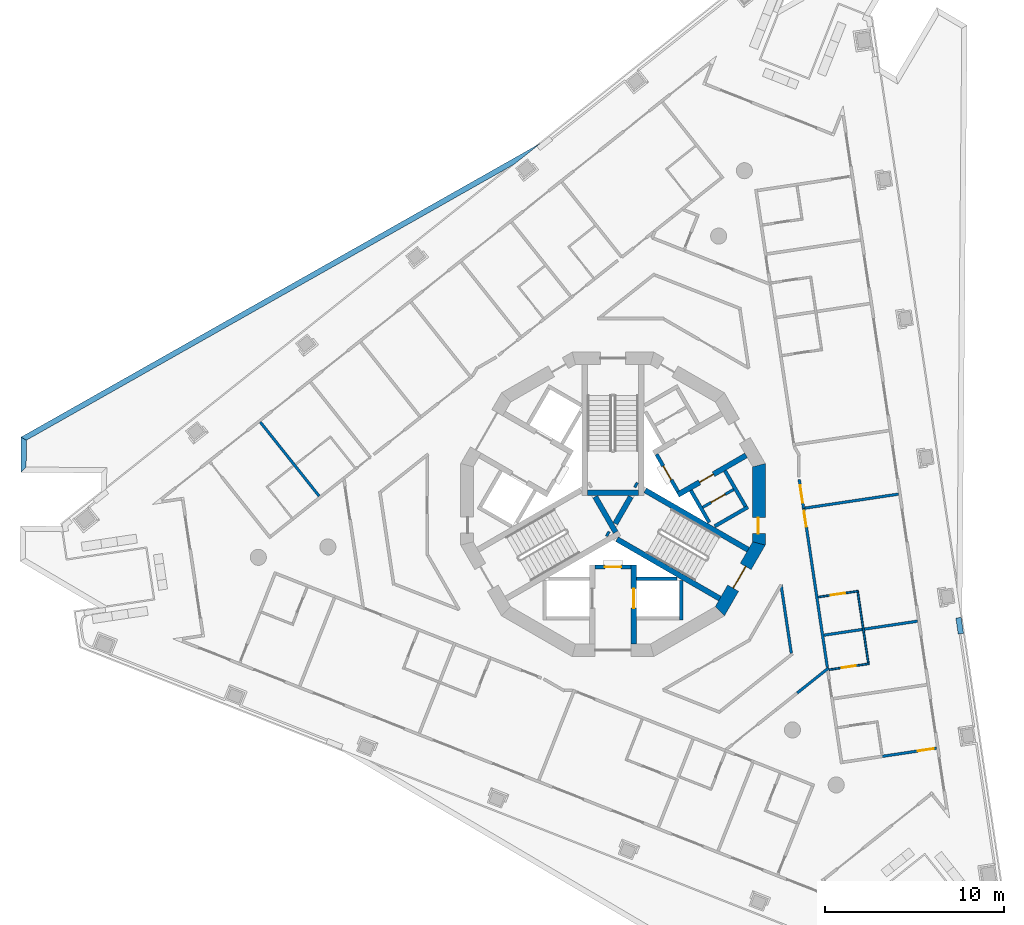
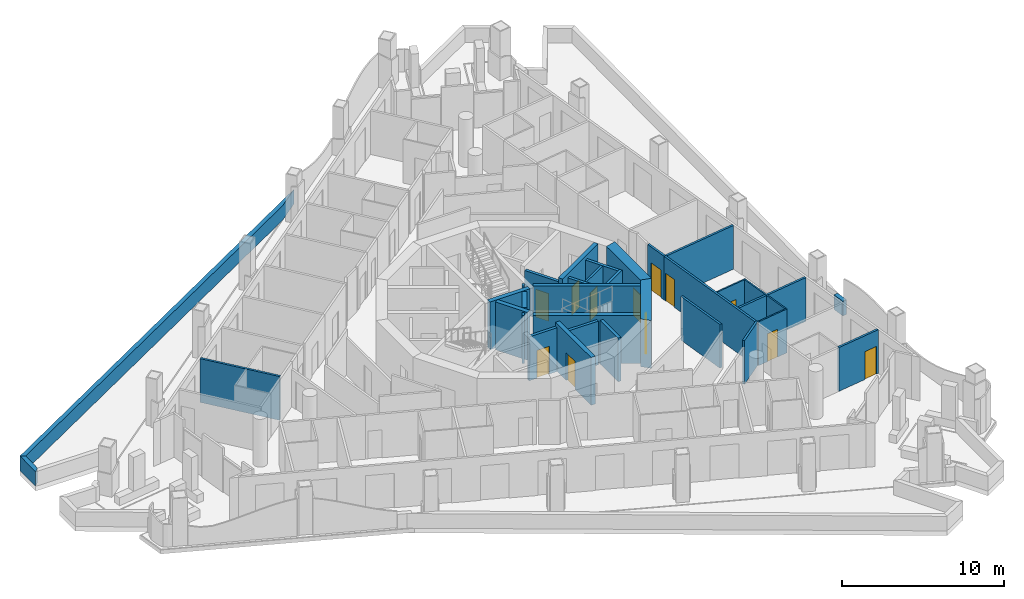
# One storey, part 5 of 16: 33 walls, 12 doors, 12 openings.
"""IFC4 building model written with IfcOpenShell, lengths in metres."""

import ifcopenshell
import ifcopenshell.guid

model = None  # the IFC model being written
_history = None  # IfcOwnerHistory: only IFC2X3 demands one
_inside = {}  # id of a spatial element -> (the spatial element, [elements in it])
_under = {}  # id of a project, library or spatial element -> (it, [spatial elements below it])
_declared = {}  # id of a project -> (the project, [libraries it declares])
_typed = {}  # id of a type object -> (the type object, [elements of that type])
_made_of = {}  # id of a material, layer set ... -> (it, [elements and type objects made of it])


def new_model(schema):
    """Start an empty IFC model of exactly this schema.

    Asked for "IFC4X3", IfcOpenShell would pick the latest addendum, in which some entities
    have other attributes; the version numbers below select the first issue.
    IFC2X3 requires an IfcOwnerHistory on every rooted entity: one is made here for all.
    """
    global model, _history
    if schema == "IFC4X3":
        model = ifcopenshell.file(schema_version=(4, 3, 0, 0))
    else:
        model = ifcopenshell.file(schema=schema)
    _inside.clear()
    _under.clear()
    _declared.clear()
    _typed.clear()
    _made_of.clear()
    _history = None
    if model.schema == "IFC2X3":
        org = make("IfcOrganization", Name="unknown")
        user = make(
            "IfcPersonAndOrganization",
            ThePerson=make("IfcPerson", FamilyName="unknown"),
            TheOrganization=org,
        )
        app = make(
            "IfcApplication",
            ApplicationDeveloper=org,
            Version="unknown",
            ApplicationFullName="unknown",
            ApplicationIdentifier="unknown",
        )
        _history = make(
            "IfcOwnerHistory",
            OwningUser=user,
            OwningApplication=app,
            ChangeAction="ADDED",
            CreationDate=0,
        )
    return model


def make(cls, **values):
    """One entity of the class cls with the attributes given. An attribute that is None is left unset."""
    return model.create_entity(
        cls, **{name: value for name, value in values.items() if value is not None}
    )


def rooted(cls, **values):
    """An entity with a GlobalId (a new one), such as an element, a storey or a relation."""
    return make(cls, GlobalId=ifcopenshell.guid.new(), OwnerHistory=_history, **values)


def si_unit(unit_type, name, prefix=None):
    """IfcSIUnit, for example si_unit("LENGTHUNIT", "METRE", prefix="MILLI")."""
    return make("IfcSIUnit", UnitType=unit_type, Prefix=prefix, Name=name)


def assignment(units):
    """IfcUnitAssignment: the units of a project."""
    return None if units is None else make("IfcUnitAssignment", Units=units)


def point(xyz):
    """IfcCartesianPoint."""
    return None if xyz is None else make("IfcCartesianPoint", Coordinates=xyz)


def direction(xyz):
    """IfcDirection."""
    return None if xyz is None else make("IfcDirection", DirectionRatios=xyz)


def frame(location, z_axis=None, x_axis=None):
    """IfcAxis2Placement3D, a coordinate frame: its origin and axes. An axis left out is left unset."""
    return make(
        "IfcAxis2Placement3D",
        Location=point(location),
        Axis=direction(z_axis),
        RefDirection=direction(x_axis),
    )


def frame_2d(location, x_axis=None):
    """IfcAxis2Placement2D, a coordinate frame in the plane: its origin and x axis."""
    return make(
        "IfcAxis2Placement2D", Location=point(location), RefDirection=direction(x_axis)
    )


def origin():
    """The frame at (0, 0, 0) with its axes left unset."""
    return frame((0.0, 0.0, 0.0))


def place(relative_to, where):
    """IfcLocalPlacement: puts the frame where relative to a parent placement (None: the world)."""
    return make(
        "IfcLocalPlacement", PlacementRelTo=relative_to, RelativePlacement=where
    )


def context(
    kind, dimensions, precision=None, world=None, true_north=None, identifier=None
):
    """IfcGeometricRepresentationContext, for example the 3D "Model" context."""
    return make(
        "IfcGeometricRepresentationContext",
        ContextIdentifier=identifier,
        ContextType=kind,
        CoordinateSpaceDimension=dimensions,
        Precision=precision,
        WorldCoordinateSystem=world,
        TrueNorth=true_north,
    )


def subcontext(parent, identifier, kind, view, scale=None):
    """IfcGeometricRepresentationSubContext, for example "Body" below "Model"."""
    return make(
        "IfcGeometricRepresentationSubContext",
        ContextIdentifier=identifier,
        ContextType=kind,
        ParentContext=parent,
        TargetScale=scale,
        TargetView=view,
    )


def project(units=None, contexts=None):
    """IfcProject with its units and contexts."""
    return rooted(
        "IfcProject",
        Name="project",
        RepresentationContexts=contexts,
        UnitsInContext=assignment(units),
    )


def spatial(cls, under=None, at=None, **own):
    """A site, building, storey or space (cls), placed at a placement, below another one or the project."""
    s = rooted(cls, ObjectPlacement=at, **own)
    if under is not None:
        _under.setdefault(under.id(), (under, []))[1].append(s)
    return s


def polyline(points):
    """IfcPolyline through the points."""
    return make("IfcPolyline", Points=[point(p) for p in points])


def profile(cls, at=None, kind="AREA", **sizes):
    """A parametric profile (cls). Its sizes go by their IFC names, for example OverallWidth=200.0."""
    return make(cls, ProfileType=kind, Position=at, **sizes)


def rectangle(**sizes):
    """IfcRectangleProfileDef."""
    return profile("IfcRectangleProfileDef", **sizes)


def outline(outer, holes=None, kind="AREA"):
    """IfcArbitraryClosedProfileDef: a profile drawn as a closed curve; with holes, ...WithVoids."""
    if holes is None:
        return make("IfcArbitraryClosedProfileDef", ProfileType=kind, OuterCurve=outer)
    return make(
        "IfcArbitraryProfileDefWithVoids",
        ProfileType=kind,
        OuterCurve=outer,
        InnerCurves=holes,
    )


def extrude(swept, where, along, depth):
    """IfcExtrudedAreaSolid: the profile swept, set in the frame where, extruded along a direction by depth."""
    return make(
        "IfcExtrudedAreaSolid",
        SweptArea=swept,
        Position=where,
        ExtrudedDirection=direction(along),
        Depth=depth,
    )


def shape(context_of_items, identifier, shape_type, items):
    """IfcShapeRepresentation: the items that make up one representation, for example the "Body"."""
    return make(
        "IfcShapeRepresentation",
        ContextOfItems=context_of_items,
        RepresentationIdentifier=identifier,
        RepresentationType=shape_type,
        Items=items,
    )


def material(Name=None, Category=None):
    """IfcMaterial."""
    return make("IfcMaterial", Name=Name, Category=Category)


def layer(
    of_material, thickness, ventilated=None, Name=None, Category=None, Priority=None
):
    """IfcMaterialLayer: one layer of a wall or slab, of a material (None: an air gap)."""
    return make(
        "IfcMaterialLayer",
        Material=of_material,
        LayerThickness=thickness,
        IsVentilated=ventilated,
        Name=Name,
        Category=Category,
        Priority=Priority,
    )


def layer_set(layers, Name=None):
    """IfcMaterialLayerSet."""
    return make("IfcMaterialLayerSet", MaterialLayers=layers, LayerSetName=Name)


def made_of(thing, what):
    """Note that an element or type object is made of a material, layer set ...; save() writes the relation."""
    if what is not None:
        _made_of.setdefault(what.id(), (what, []))[1].append(thing)
    return thing


def type_object(cls, material=None, **own):
    """A type object (cls), such as IfcWallType, which elements share."""
    return made_of(rooted(cls, **own), material)


def element(
    cls,
    number,
    at=None,
    inside=None,
    cuts=None,
    type_object=None,
    material=None,
    context=None,
    identifier="Body",
    shape_type=None,
    held_by="IfcProductDefinitionShape",
    body=None,
    shapes=None,
    **own,
):
    """One element of the class cls, such as IfcWall. Its Tag is "e" and its number.

    at: its placement. inside: the storey or other place that contains it. cuts: it is an
    opening in that element (IfcRelVoidsElement). A single representation is given by context,
    identifier, shape_type and body (its items); several are given by shapes. held_by: the class
    of the entity that holds the representations. save() writes the other relations.
    """
    e = rooted(cls, Tag="e%d" % number, ObjectPlacement=at, **own)
    if body is not None:
        shapes = [shape(context, identifier, shape_type, body)]
    if shapes is not None:
        e.Representation = make(held_by, Representations=shapes)
    if inside is not None:
        _inside.setdefault(inside.id(), (inside, []))[1].append(e)
    if cuts is not None:
        rooted(
            "IfcRelVoidsElement", RelatingBuildingElement=cuts, RelatedOpeningElement=e
        )
    if type_object is not None:
        _typed.setdefault(type_object.id(), (type_object, []))[1].append(e)
    return made_of(e, material)


def fill(opening, filler):
    """IfcRelFillsElement: the door or window that sits in an opening."""
    return rooted(
        "IfcRelFillsElement",
        RelatingOpeningElement=opening,
        RelatedBuildingElement=filler,
    )


def aggregate(whole, parts):
    """IfcRelAggregates: a whole, such as a stair, and the parts it consists of."""
    return rooted("IfcRelAggregates", RelatingObject=whole, RelatedObjects=parts)


def save(model, path):
    """Write the relations noted so far, then the file.

    IfcRelAggregates (storeys below a building ...), IfcRelContainedInSpatialStructure (elements
    in a storey), IfcRelDefinesByType, IfcRelAssociatesMaterial and IfcRelDeclares: one each for
    every whole, place, type object, material and project.
    """
    for whole, parts in _under.values():
        aggregate(whole, parts)
    for where, things in _inside.values():
        rooted(
            "IfcRelContainedInSpatialStructure",
            RelatedElements=things,
            RelatingStructure=where,
        )
    for kind, things in _typed.values():
        rooted("IfcRelDefinesByType", RelatedObjects=things, RelatingType=kind)
    for what, things in _made_of.values():
        rooted("IfcRelAssociatesMaterial", RelatedObjects=things, RelatingMaterial=what)
    for by, libraries in _declared.values():
        rooted("IfcRelDeclares", RelatingContext=by, RelatedDefinitions=libraries)
    model.write(path)


model = new_model("IFC4")

# Units and contexts
model_context = context("Model", 3, precision=1e-05, world=origin(), true_north=direction((0.0, 1.0)))
body_context = subcontext(model_context, "Body", "Model", "MODEL_VIEW")
ifc_project = project(units=[si_unit("LENGTHUNIT", "METRE"), si_unit("AREAUNIT", "SQUARE_METRE"), si_unit("VOLUMEUNIT", "CUBIC_METRE"), si_unit("PLANEANGLEUNIT", "RADIAN"), si_unit("MASSUNIT", "GRAM", prefix="KILO")], contexts=[model_context])

# Site, building, storey
site_placement = place(None, origin())
site = spatial("IfcSite", under=ifc_project, at=site_placement, CompositionType="ELEMENT")
building_placement = place(site_placement, origin())
building = spatial("IfcBuilding", under=site, at=building_placement, Name="Trine Commons Tower", CompositionType="ELEMENT")
storey_placement = place(building_placement, frame((0.0, 0.0, 198.0)))
storey = spatial("IfcBuildingStorey", under=building, at=storey_placement, Name="L51", CompositionType="ELEMENT", Elevation=198.0)

# Wall, opening, door
ifc_material_1 = material(Name="Plasterboard partition on steel studs", Category="steel")
ifc_layer_1 = layer(ifc_material_1, 0.14990234375)
ifc_layer_set_1 = layer_set([ifc_layer_1], Name="Plasterboard partition on steel studs")
wall_type_1 = type_object("IfcWallType", Name="Core room partition 150 mm, EI 60", PredefinedType="PARTITIONING", material=ifc_layer_set_1)
wall_1_placement = place(storey_placement, frame((85.006103515625, 62.330078125, 0.0), z_axis=(0.0, 0.0, 1.0), x_axis=(0.866010750942, 0.50002537861, 0.0)))
wall_1 = element("IfcWall", 1, at=wall_1_placement, inside=storey, type_object=wall_type_1, Name="Core room partition L51", PredefinedType="PARTITIONING", context=body_context, shape_type="SweptSolid", body=[
    extrude(rectangle(XDim=2.0, YDim=0.14990234375, at=frame_2d((1.0, 0.0))), origin(), (0.0, 0.0, 1.0), 3.300048828125),
])
opening_1_placement = place(wall_1_placement, frame((0.549560546875, 0.0, 0.0)))
opening_1 = element("IfcOpeningElement", 2, at=opening_1_placement, cuts=wall_1, Name="Opening K15.13", PredefinedType="OPENING", context=body_context, shape_type="SweptSolid", body=[
    extrude(rectangle(XDim=0.89990234375, YDim=2.10009765625, at=frame_2d((0.449951171875, 1.050048828125))), frame((0.0, 0.0849609375, 0.0), z_axis=(0.0, -1.0, 0.0), x_axis=(1.0, 0.0, 0.0)), (0.0, 0.0, 1.0), 0.169921875),
])
ifc_material_2 = material(Name="Steel door leaf, fire-rated", Category="steel")
door_type_1 = type_object("IfcDoorType", Name="Core room door, single leaf 900 x 2100, FD30S", OperationType="SINGLE_SWING_LEFT", PredefinedType="DOOR", material=ifc_material_2)
door_1_placement = place(opening_1_placement, frame((0.89990234375, 0.0, 0.0), z_axis=(0.0, 0.0, 1.0), x_axis=(-1.0, 0.0, 0.0)))
door_1 = element("IfcDoor", 3, at=door_1_placement, inside=storey, type_object=door_type_1, Name="Door to Parcel store L51", OperationType="SINGLE_SWING_LEFT", OverallHeight=2.10009765625, OverallWidth=0.89990234375, PredefinedType="DOOR", context=body_context, shape_type="SweptSolid", body=[
    extrude(rectangle(XDim=0.89990234375, YDim=2.10009765625, at=frame_2d((0.449951171875, 1.050048828125))), frame((0.0, 0.02490234375, 0.0), z_axis=(0.0, -1.0, 0.0), x_axis=(1.0, 0.0, 0.0)), (0.0, 0.0, 1.0), 0.050048828125),
])
fill(opening_1, door_1)

ifc_material_3 = material(Name="Fire-rated gypsum shaft wall system")
ifc_layer_2 = layer(ifc_material_3, 0.199951171875)
ifc_layer_set_2 = layer_set([ifc_layer_2], Name="Fire-rated gypsum shaft wall system")
wall_type_2 = type_object("IfcWallType", Name="Lobby end wall 200 mm, EI 120", PredefinedType="PARTITIONING", material=ifc_layer_set_2)
wall_2_placement = place(storey_placement, frame((79.0, 59.0, 0.0), z_axis=(0.0, 0.0, 1.0), x_axis=(1.0, 0.0, 0.0)))
wall_2 = element("IfcWall", 4, at=wall_2_placement, inside=storey, type_object=wall_type_2, Name="Lobby end wall L51", PredefinedType="PARTITIONING", context=body_context, shape_type="SweptSolid", body=[
    extrude(rectangle(XDim=2.0, YDim=0.199951171875, at=frame_2d((1.0, 0.0))), origin(), (0.0, 0.0, 1.0), 3.300048828125),
])
opening_2_placement = place(wall_2_placement, frame((0.550048828125, 0.0, 0.0)))
opening_2 = element("IfcOpeningElement", 5, at=opening_2_placement, cuts=wall_2, Name="Opening K15.09", PredefinedType="OPENING", context=body_context, shape_type="SweptSolid", body=[
    extrude(rectangle(XDim=0.89990234375, YDim=2.10009765625, at=frame_2d((0.449951171875, 1.050048828125))), frame((0.0, 0.10986328125, 0.0), z_axis=(0.0, -1.0, 0.0), x_axis=(1.0, 0.0, 0.0)), (0.0, 0.0, 1.0), 0.219970703125),
])
door_type_2 = type_object("IfcDoorType", Name="Riser access door, single leaf 900 x 2100, FD60", OperationType="SINGLE_SWING_LEFT", PredefinedType="DOOR", material=ifc_material_2)
door_2_placement = place(opening_2_placement, frame((0.89990234375, 0.0, 0.0), z_axis=(0.0, 0.0, 1.0), x_axis=(-1.0, 0.0, 0.0)))
door_2 = element("IfcDoor", 6, at=door_2_placement, inside=storey, type_object=door_type_2, Name="Riser door, Communications riser L51", OperationType="SINGLE_SWING_RIGHT", OverallHeight=2.10009765625, OverallWidth=0.89990234375, PredefinedType="DOOR", context=body_context, shape_type="SweptSolid", body=[
    extrude(rectangle(XDim=0.89990234375, YDim=2.10009765625, at=frame_2d((0.449951171875, 1.050048828125))), frame((0.0, 0.02490234375, 0.0), z_axis=(0.0, -1.0, 0.0), x_axis=(1.0, 0.0, 0.0)), (0.0, 0.0, 1.0), 0.050048828125),
])
fill(opening_2, door_2)

wall_3_placement = place(storey_placement, frame((83.631103515625, 63.2109375, 0.0), z_axis=(0.0, 0.0, 1.0), x_axis=(-0.50012165622, 0.865955154139, 0.0)))
wall_3 = element("IfcWall", 7, at=wall_3_placement, inside=storey, type_object=wall_type_2, Name="Lobby end wall L51", PredefinedType="PARTITIONING", context=body_context, shape_type="SweptSolid", body=[
    extrude(rectangle(XDim=2.39990234375, YDim=0.199951171875, at=frame_2d((1.199951171875, 0.0))), origin(), (0.0, 0.0, 1.0), 3.300048828125),
])
opening_3_placement = place(wall_3_placement, frame((0.749755859375, 0.0, 0.0)))
opening_3 = element("IfcOpeningElement", 8, at=opening_3_placement, cuts=wall_3, Name="Opening K15.05", PredefinedType="OPENING", context=body_context, shape_type="SweptSolid", body=[
    extrude(rectangle(XDim=0.89990234375, YDim=2.10009765625, at=frame_2d((0.449951171875, 1.050048828125))), frame((0.0, 0.10986328125, 0.0), z_axis=(0.0, -1.0, 0.0), x_axis=(1.0, 0.0, 0.0)), (0.0, 0.0, 1.0), 0.219970703125),
])
door_3_placement = place(opening_3_placement, frame((0.89990234375, 0.0, 0.0), z_axis=(0.0, 0.0, 1.0), x_axis=(-1.0, 0.0, 0.0)))
door_3 = element("IfcDoor", 9, at=door_3_placement, inside=storey, type_object=door_type_2, Name="Riser door, Electrical riser L51", OperationType="SINGLE_SWING_LEFT", OverallHeight=2.10009765625, OverallWidth=0.89990234375, PredefinedType="DOOR", context=body_context, shape_type="SweptSolid", body=[
    extrude(rectangle(XDim=0.89990234375, YDim=2.10009765625, at=frame_2d((0.449951171875, 1.050048828125))), frame((0.0, 0.02490234375, 0.0), z_axis=(0.0, -1.0, 0.0), x_axis=(1.0, 0.0, 0.0)), (0.0, 0.0, 1.0), 0.050048828125),
])
fill(opening_3, door_3)

ifc_material_4 = material(Name="Concrete C60/75", Category="concrete")
ifc_layer_3 = layer(ifc_material_4, 0.300048828125)
ifc_layer_set_3 = layer_set([ifc_layer_3], Name="Concrete C60/75")
wall_type_3 = type_object("IfcWallType", Name="RC shear wall 300 mm, C60/75", PredefinedType="SHEAR", material=ifc_layer_set_3)
wall_4_placement = place(storey_placement, frame((81.14990234375, 59.10009765625, 0.0), z_axis=(0.0, 0.0, 1.0), x_axis=(0.0, -1.0, 0.0)))
wall_4 = element("IfcWall", 10, at=wall_4_placement, inside=storey, type_object=wall_type_3, Name="Core cross wall SWC-04 L51", PredefinedType="SHEAR", context=body_context, shape_type="SweptSolid", body=[
    extrude(rectangle(XDim=4.400146484375, YDim=0.300048828125, at=frame_2d((2.2001953125, 0.0))), origin(), (0.0, 0.0, 1.0), 3.60009765625),
])
opening_4_placement = place(wall_4_placement, frame((1.300048828125, 0.0, 0.0)))
opening_4 = element("IfcOpeningElement", 11, at=opening_4_placement, cuts=wall_4, Name="Opening LD9", PredefinedType="OPENING", context=body_context, shape_type="SweptSolid", body=[
    extrude(rectangle(XDim=1.10009765625, YDim=2.10009765625, at=frame_2d((0.550048828125, 1.050048828125))), frame((0.0, 0.159912109375, 0.0), z_axis=(0.0, -1.0, 0.0), x_axis=(1.0, 0.0, 0.0)), (0.0, 0.0, 1.0), 0.320068359375),
])
ifc_material_5 = material(Name="Stainless steel sliding door leaves", Category="steel")
door_type_3 = type_object("IfcDoorType", Name="Lift landing door, centre-opening sliding 1100 x 2100, FD90", OperationType="DOUBLE_DOOR_SLIDING", PredefinedType="DOOR", material=ifc_material_5)
door_4_placement = place(opening_4_placement, origin())
door_4 = element("IfcDoor", 12, at=door_4_placement, inside=storey, type_object=door_type_3, Name="Lift landing door FF1 L51", OperationType="DOUBLE_DOOR_SLIDING", OverallHeight=2.10009765625, OverallWidth=1.10009765625, PredefinedType="DOOR", context=body_context, shape_type="SweptSolid", body=[
    extrude(rectangle(XDim=1.10009765625, YDim=2.10009765625, at=frame_2d((0.550048828125, 1.050048828125))), frame((0.0, 0.02490234375, 0.0), z_axis=(0.0, -1.0, 0.0), x_axis=(1.0, 0.0, 0.0)), (0.0, 0.0, 1.0), 0.050048828125),
])
fill(opening_4, door_4)

wall_5_placement = place(storey_placement, frame((83.618896484375, 63.031005859375, 0.0), z_axis=(0.0, 0.0, 1.0), x_axis=(0.866059941101, 0.499940174841, 0.0)))
wall_5 = element("IfcWall", 13, at=wall_5_placement, inside=storey, type_object=wall_type_3, Name="Core cross wall SWC-06 L51", PredefinedType="SHEAR", context=body_context, shape_type="SweptSolid", body=[
    extrude(rectangle(XDim=4.400390625, YDim=0.300048828125, at=frame_2d((2.2001953125, 0.0))), origin(), (0.0, 0.0, 1.0), 3.60009765625),
])
opening_5_placement = place(wall_5_placement, frame((1.400390625, 0.0, 0.0)))
opening_5 = element("IfcOpeningElement", 14, at=opening_5_placement, cuts=wall_5, Name="Opening K15.12", PredefinedType="OPENING", context=body_context, shape_type="SweptSolid", body=[
    extrude(rectangle(XDim=0.89990234375, YDim=2.10009765625, at=frame_2d((0.449951171875, 1.050048828125))), frame((0.0, 0.159912109375, 0.0), z_axis=(0.0, -1.0, 0.0), x_axis=(1.0, 0.0, 0.0)), (0.0, 0.0, 1.0), 0.320068359375),
])
door_5_placement = place(opening_5_placement, frame((0.89990234375, 0.0, 0.0), z_axis=(0.0, 0.0, 1.0), x_axis=(-1.0, 0.0, 0.0)))
door_5 = element("IfcDoor", 15, at=door_5_placement, inside=storey, type_object=door_type_1, Name="Door to Comms room L51", OperationType="SINGLE_SWING_LEFT", OverallHeight=2.10009765625, OverallWidth=0.89990234375, PredefinedType="DOOR", context=body_context, shape_type="SweptSolid", body=[
    extrude(rectangle(XDim=0.89990234375, YDim=2.10009765625, at=frame_2d((0.449951171875, 1.050048828125))), frame((0.0, 0.02490234375, 0.0), z_axis=(0.0, -1.0, 0.0), x_axis=(1.0, 0.0, 0.0)), (0.0, 0.0, 1.0), 0.050048828125),
])
fill(opening_5, door_5)

# Walls
wall_6_placement = place(storey_placement, frame((79.0029296875, 62.926025390625, 0.0), z_axis=(0.0, 0.0, 1.0), x_axis=(0.499965247104, -0.866045467449, 0.0)))
element("IfcWall", 16, at=wall_6_placement, inside=storey, type_object=wall_type_3, Name="Core cross wall SWC-10 L51", PredefinedType="SHEAR", context=body_context, shape_type="SweptSolid", body=[
    extrude(rectangle(XDim=2.292236328125, YDim=0.300048828125, at=frame_2d((1.14599609375, 0.0))), origin(), (0.0, 0.0, 1.0), 3.60009765625),
])
wall_7_placement = place(storey_placement, frame((79.64599609375, 60.885986328125, 0.0), z_axis=(0.0, 0.0, 1.0), x_axis=(0.867331893649, -0.497730234424, 0.0)))
element("IfcWall", 17, at=wall_7_placement, inside=storey, type_object=wall_type_3, Name="Core cross wall SWC-11 L51", PredefinedType="SHEAR", context=body_context, shape_type="SweptSolid", body=[
    extrude(rectangle(XDim=0.148681640625, YDim=0.300048828125, at=frame_2d((0.07421875, 0.0))), origin(), (0.0, 0.0, 1.0), 3.60009765625),
])
wall_8_placement = place(storey_placement, frame((80.1298828125, 61.424072265625, 0.0), z_axis=(0.0, 0.0, 1.0), x_axis=(0.500014901547, 0.866016800201, 0.0)))
element("IfcWall", 18, at=wall_8_placement, inside=storey, type_object=wall_type_3, Name="Core cross wall SWC-12 L51", PredefinedType="SHEAR", context=body_context, shape_type="SweptSolid", body=[
    extrude(rectangle(XDim=1.734375, YDim=0.300048828125, at=frame_2d((0.8671875, 0.0))), origin(), (0.0, 0.0, 1.0), 3.60009765625),
])
wall_9_placement = place(storey_placement, frame((80.22509765625, 60.552001953125, 0.0), z_axis=(0.0, 0.0, 1.0), x_axis=(0.866009627307, -0.500027324665, 0.0)))
element("IfcWall", 19, at=wall_9_placement, inside=storey, type_object=wall_type_3, Name="Core cross wall SWC-13 L51", PredefinedType="SHEAR", context=body_context, shape_type="SweptSolid", body=[
    extrude(rectangle(XDim=6.631591796875, YDim=0.300048828125, at=frame_2d((3.31591796875, 0.0))), origin(), (0.0, 0.0, 1.0), 3.60009765625),
])
wall_10_placement = place(storey_placement, frame((81.220947265625, 63.614013671875, 0.0), z_axis=(0.0, 0.0, 1.0), x_axis=(0.867737973955, -0.497021939713, 0.0)))
element("IfcWall", 20, at=wall_10_placement, inside=storey, type_object=wall_type_3, Name="Core cross wall SWC-15 L51", PredefinedType="SHEAR", context=body_context, shape_type="SweptSolid", body=[
    extrude(rectangle(XDim=0.14892578125, YDim=0.300048828125, at=frame_2d((0.074462890625, 0.0))), origin(), (0.0, 0.0, 1.0), 3.60009765625),
])
wall_11_placement = place(storey_placement, frame((81.425048828125, 63.15087890625, 0.0), z_axis=(0.0, 0.0, 1.0), x_axis=(-1.0, 0.0, 0.0)))
element("IfcWall", 21, at=wall_11_placement, inside=storey, type_object=wall_type_3, Name="Core cross wall SWC-16 L51", PredefinedType="SHEAR", context=body_context, shape_type="SweptSolid", body=[
    extrude(rectangle(XDim=2.85009765625, YDim=0.300048828125, at=frame_2d((1.425048828125, 0.0))), origin(), (0.0, 0.0, 1.0), 3.60009765625),
])
wall_12_placement = place(storey_placement, frame((81.800048828125, 63.280029296875, 0.0), z_axis=(0.0, 0.0, 1.0), x_axis=(0.866009627307, -0.500027324665, 0.0)))
element("IfcWall", 22, at=wall_12_placement, inside=storey, type_object=wall_type_3, Name="Core cross wall SWC-18 L51", PredefinedType="SHEAR", context=body_context, shape_type="SweptSolid", body=[
    extrude(rectangle(XDim=6.631591796875, YDim=0.300048828125, at=frame_2d((3.31591796875, 0.0))), origin(), (0.0, 0.0, 1.0), 3.60009765625),
])

# Wall, opening, door
ifc_layer_4 = layer(ifc_material_4, 0.699951171875)
ifc_layer_set_4 = layer_set([ifc_layer_4], Name="Concrete C60/75")
wall_type_4 = type_object("IfcWallType", Name="RC shear wall 700 mm, C60/75", PredefinedType="SHEAR", material=ifc_layer_set_4)
wall_13_placement = place(storey_placement, frame((88.150146484375, 60.222412109375, 0.0), z_axis=(0.0, 0.0, 1.0), x_axis=(0.0, 1.0, 0.0)))
wall_13 = element("IfcWall", 23, at=wall_13_placement, inside=storey, type_object=wall_type_4, Name="Core wall CWF-01 L51", PredefinedType="SHEAR", context=body_context, shape_type="SweptSolid", body=[
    extrude(outline(polyline([(0.0, -0.35009765625), (4.55517578125, -0.35009765625), (4.36767578125, 0.35009765625), (0.1875, 0.35009765625), (0.0, -0.35009765625)])), origin(), (0.0, 0.0, 1.0), 3.60009765625),
])
opening_6_placement = place(wall_13_placement, frame((0.6416015625, 0.0, 0.0)))
opening_6 = element("IfcOpeningElement", 24, at=opening_6_placement, cuts=wall_13, Name="Opening K15.17", PredefinedType="OPENING", context=body_context, shape_type="SweptSolid", body=[
    extrude(rectangle(XDim=0.89990234375, YDim=2.10009765625, at=frame_2d((0.449951171875, 1.050048828125))), frame((0.0, 0.35986328125, 0.0), z_axis=(0.0, -1.0, 0.0), x_axis=(1.0, 0.0, 0.0)), (0.0, 0.0, 1.0), 0.719970703125),
])
door_6_placement = place(opening_6_placement, origin())
door_6 = element("IfcDoor", 25, at=door_6_placement, inside=storey, type_object=door_type_1, Name="Door to Core WC L51", OperationType="SINGLE_SWING_LEFT", OverallHeight=2.10009765625, OverallWidth=0.89990234375, PredefinedType="DOOR", context=body_context, shape_type="SweptSolid", body=[
    extrude(rectangle(XDim=0.89990234375, YDim=2.10009765625, at=frame_2d((0.449951171875, 1.050048828125))), frame((0.0, 0.0751953125, 0.0), z_axis=(0.0, -1.0, 0.0), x_axis=(1.0, 0.0, 0.0)), (0.0, 0.0, 1.0), 0.050048828125),
])
fill(opening_6, door_6)

wall_14_placement = place(storey_placement, frame((85.91943359375, 56.452392578125, 0.0), z_axis=(0.0, 0.0, 1.0), x_axis=(0.499983800959, 0.866034756103, 0.0)))
wall_14 = element("IfcWall", 26, at=wall_14_placement, inside=storey, type_object=wall_type_4, Name="Core wall CWF-12 L51", PredefinedType="SHEAR", context=body_context, shape_type="SweptSolid", body=[
    extrude(outline(polyline([(0.0, -0.35009765625), (4.55517578125, -0.35009765625), (4.36767578125, 0.35009765625), (0.1875, 0.35009765625), (0.0, -0.35009765625)])), origin(), (0.0, 0.0, 1.0), 3.60009765625),
])
opening_7_placement = place(wall_14_placement, frame((1.577392578125, 0.0, 0.0)))
opening_7 = element("IfcOpeningElement", 27, at=opening_7_placement, cuts=wall_14, Name="Opening K15.03", PredefinedType="OPENING", context=body_context, shape_type="SweptSolid", body=[
    extrude(rectangle(XDim=1.39990234375, YDim=2.10009765625, at=frame_2d((0.699951171875, 1.050048828125))), frame((0.0, 0.35986328125, 0.0), z_axis=(0.0, -1.0, 0.0), x_axis=(1.0, 0.0, 0.0)), (0.0, 0.0, 1.0), 0.719970703125),
])
ifc_material_6 = material(Name="Steel door leaves, fire-rated", Category="steel")
door_type_4 = type_object("IfcDoorType", Name="Stair door, double leaf 1400 x 2100, FD90", OperationType="DOUBLE_DOOR_SINGLE_SWING", PredefinedType="DOOR", material=ifc_material_6)
door_7_placement = place(opening_7_placement, origin())
door_7 = element("IfcDoor", 28, at=door_7_placement, inside=storey, type_object=door_type_4, Name="Stair door to Exit stair ST3C L51", OperationType="DOUBLE_DOOR_SINGLE_SWING", OverallHeight=2.10009765625, OverallWidth=1.39990234375, PredefinedType="DOOR", context=body_context, shape_type="SweptSolid", body=[
    extrude(rectangle(XDim=1.39990234375, YDim=2.10009765625, at=frame_2d((0.699951171875, 1.050048828125))), frame((0.0, 0.02490234375, 0.0), z_axis=(0.0, -1.0, 0.0), x_axis=(1.0, 0.0, 0.0)), (0.0, 0.0, 1.0), 0.050048828125),
])
fill(opening_7, door_7)

# Walls
ifc_layer_5 = layer(ifc_material_3, 0.199951171875)
ifc_layer_set_5 = layer_set([ifc_layer_5], Name="Fire-rated gypsum shaft wall system")
wall_type_5 = type_object("IfcWallType", Name="Shaft wall 200 mm, EI 120", PredefinedType="PARTITIONING", material=ifc_layer_set_5)
wall_15_placement = place(storey_placement, frame((81.300048828125, 58.35009765625, 0.0), z_axis=(0.0, 0.0, 1.0), x_axis=(1.0, 0.0, 0.0)))
element("IfcWall", 29, at=wall_15_placement, inside=storey, type_object=wall_type_5, Name="Shaft wall L51", PredefinedType="PARTITIONING", context=body_context, shape_type="SweptSolid", body=[
    extrude(rectangle(XDim=2.264892578125, YDim=0.199951171875, at=frame_2d((1.13232421875, 0.0))), origin(), (0.0, 0.0, 1.0), 3.300048828125),
])
wall_16_placement = place(storey_placement, frame((83.800048828125, 58.257080078125, 0.0), z_axis=(0.0, 0.0, 1.0), x_axis=(0.0, -1.0, 0.0)))
element("IfcWall", 30, at=wall_16_placement, inside=storey, type_object=wall_type_5, Name="Shaft wall L51", PredefinedType="PARTITIONING", context=body_context, shape_type="SweptSolid", body=[
    extrude(rectangle(XDim=2.20703125, YDim=0.199951171875, at=frame_2d((1.103515625, 0.0))), origin(), (0.0, 0.0, 1.0), 3.300048828125),
])
wall_17_placement = place(storey_placement, frame((84.343994140625, 63.27587890625, 0.0), z_axis=(0.0, 0.0, 1.0), x_axis=(0.500271688072, -0.86586848777, 0.0)))
element("IfcWall", 31, at=wall_17_placement, inside=storey, type_object=wall_type_5, Name="Shaft wall L51", PredefinedType="PARTITIONING", context=body_context, shape_type="SweptSolid", body=[
    extrude(rectangle(XDim=2.064697265625, YDim=0.199951171875, at=frame_2d((1.0322265625, 0.0))), origin(), (0.0, 0.0, 1.0), 3.300048828125),
])
wall_18_placement = place(storey_placement, frame((85.675048828125, 61.27392578125, 0.0), z_axis=(0.0, 0.0, 1.0), x_axis=(0.866102336459, 0.499866725018, 0.0)))
element("IfcWall", 32, at=wall_18_placement, inside=storey, type_object=wall_type_5, Name="Shaft wall L51", PredefinedType="PARTITIONING", context=body_context, shape_type="SweptSolid", body=[
    extrude(rectangle(XDim=2.1484375, YDim=0.199951171875, at=frame_2d((1.07421875, 0.0))), origin(), (0.0, 0.0, 1.0), 3.300048828125),
])
wall_19_placement = place(storey_placement, frame((86.2490234375, 64.3759765625, 0.0), z_axis=(0.0, 0.0, 1.0), x_axis=(0.500136062276, -0.86594683394, 0.0)))
element("IfcWall", 33, at=wall_19_placement, inside=storey, type_object=wall_type_5, Name="Shaft wall L51", PredefinedType="PARTITIONING", context=body_context, shape_type="SweptSolid", body=[
    extrude(rectangle(XDim=2.299072265625, YDim=0.199951171875, at=frame_2d((1.1494140625, 0.0))), origin(), (0.0, 0.0, 1.0), 3.300048828125),
])
ifc_material_7 = material(Name="Limestone, honed", Category="masonry")
ifc_layer_6 = layer(ifc_material_7, 0.300048828125)
ifc_layer_set_6 = layer_set([ifc_layer_6], Name="Limestone, honed")
wall_type_6 = type_object("IfcWallType", Name="Stone parapet 300", PredefinedType="PARAPET", material=ifc_layer_set_6)
wall_20_placement = place(storey_placement, origin())
element("IfcWall", 34, at=wall_20_placement, inside=storey, type_object=wall_type_6, Name="Sliver roof parapet L50 2.1", PredefinedType="PARAPET", context=body_context, shape_type="SweptSolid", body=[
    extrude(outline(polyline([(75.979248046875, 82.673095703125), (46.956298828125, 66.252685546875), (47.2548828125, 66.076904296875), (74.478515625, 81.479248046875), (75.979248046875, 82.673095703125)])), origin(), (0.0, 0.0, 1.0), 1.10009765625),
])
wall_21_placement = place(storey_placement, origin())
element("IfcWall", 35, at=wall_21_placement, inside=storey, type_object=wall_type_6, Name="Sliver roof parapet L50 2.2", PredefinedType="PARAPET", context=body_context, shape_type="SweptSolid", body=[
    extrude(outline(polyline([(46.956298828125, 66.252685546875), (46.939208984375, 64.28857421875), (47.241943359375, 64.5859375), (47.2548828125, 66.076904296875), (46.956298828125, 66.252685546875)])), origin(), (0.0, 0.0, 1.0), 1.10009765625),
])
wall_22_placement = place(storey_placement, origin())
element("IfcWall", 36, at=wall_22_placement, inside=storey, type_object=wall_type_6, Name="Sliver roof parapet extension L50 6.X1", PredefinedType="PARAPET", context=body_context, shape_type="SweptSolid", body=[
    extrude(outline(polyline([(99.436279296875, 56.192138671875), (99.1396484375, 56.14794921875), (99.272705078125, 55.2578125), (99.5693359375, 55.302001953125), (99.5078125, 55.714599609375), (99.436279296875, 56.192138671875)])), origin(), (0.0, 0.0, 1.0), 1.10009765625),
])
ifc_material_8 = material(Name="Gypsum plasterboard on steel stud", Category="steel")
ifc_layer_7 = layer(ifc_material_8, 0.14990234375)
ifc_layer_set_7 = layer_set([ifc_layer_7], Name="Gypsum plasterboard on steel stud")
wall_type_7 = type_object("IfcWallType", Name="Unit and corridor wall 150 mm, EI 60", PredefinedType="PARTITIONING", material=ifc_layer_set_7)
wall_23_placement = place(storey_placement, frame((60.309814453125, 67.091796875, 0.0), z_axis=(0.0, 0.0, 1.0), x_axis=(0.622585933561, -0.782551439416, 0.0)))
element("IfcWall", 37, at=wall_23_placement, inside=storey, type_object=wall_type_7, Name="Partition 003", PredefinedType="PARTITIONING", context=body_context, shape_type="SweptSolid", body=[
    extrude(rectangle(XDim=5.28515625, YDim=0.14990234375, at=frame_2d((2.642578125, 0.0))), origin(), (0.0, 0.0, 1.0), 3.300048828125),
])
wall_24_placement = place(storey_placement, frame((89.383056640625, 58.001953125, 0.0), z_axis=(0.0, 0.0, 1.0), x_axis=(0.14791043165, -0.989000760469, 0.0)))
element("IfcWall", 38, at=wall_24_placement, inside=storey, type_object=wall_type_7, Name="Partition 103", PredefinedType="PARTITIONING", context=body_context, shape_type="SweptSolid", body=[
    extrude(rectangle(XDim=3.859130859375, YDim=0.14990234375, at=frame_2d((1.9296875, 0.0))), origin(), (0.0, 0.0, 1.0), 3.300048828125),
])
wall_25_placement = place(storey_placement, frame((90.284912109375, 51.968994140625, 0.0), z_axis=(0.0, 0.0, 1.0), x_axis=(0.782471905859, 0.622685889145, 0.0)))
element("IfcWall", 39, at=wall_25_placement, inside=storey, type_object=wall_type_7, Name="Partition 107", PredefinedType="PARTITIONING", context=body_context, shape_type="SweptSolid", body=[
    extrude(rectangle(XDim=2.239990234375, YDim=0.14990234375, at=frame_2d((1.1201171875, 0.0))), origin(), (0.0, 0.0, 1.0), 3.300048828125),
])

# Wall, opening, door
wall_26_placement = place(storey_placement, frame((90.39990234375, 63.882080078125, 0.0), z_axis=(0.0, 0.0, 1.0), x_axis=(0.147511205878, -0.989060384476, 0.0)))
wall_26 = element("IfcWall", 40, at=wall_26_placement, inside=storey, type_object=wall_type_7, Name="Partition 110", PredefinedType="PARTITIONING", context=body_context, shape_type="SweptSolid", body=[
    extrude(rectangle(XDim=1.626953125, YDim=0.14990234375, at=frame_2d((0.8134765625, 0.0))), origin(), (0.0, 0.0, 1.0), 3.300048828125),
])
opening_8_placement = place(wall_26_placement, frame((0.311279296875, 0.0, 0.0)))
opening_8 = element("IfcOpeningElement", 41, at=opening_8_placement, cuts=wall_26, Name="Opening D-6A16", PredefinedType="OPENING", context=body_context, shape_type="SweptSolid", body=[
    extrude(rectangle(XDim=1.0, YDim=2.10009765625, at=frame_2d((0.5, 1.050048828125))), frame((0.0, 0.0849609375, 0.0), z_axis=(0.0, -1.0, 0.0), x_axis=(1.0, 0.0, 0.0)), (0.0, 0.0, 1.0), 0.169921875),
])
ifc_material_9 = material(Name="Painted timber", Category="wood")
door_type_5 = type_object("IfcDoorType", Name="Amenity room door 1000 x 2100, NOT RATED", OperationType="NOTDEFINED", PredefinedType="DOOR", material=ifc_material_9)
door_8_placement = place(opening_8_placement, origin())
door_8 = element("IfcDoor", 42, at=door_8_placement, inside=storey, type_object=door_type_5, Name="Door D-6A16", OperationType="SINGLE_SWING_LEFT", OverallHeight=2.10009765625, OverallWidth=1.0, PredefinedType="DOOR", context=body_context, shape_type="SweptSolid", body=[
    extrude(rectangle(XDim=1.0, YDim=2.10009765625, at=frame_2d((0.5, 1.050048828125))), frame((0.0, 0.02490234375, 0.0), z_axis=(0.0, -1.0, 0.0), x_axis=(1.0, 0.0, 0.0)), (0.0, 0.0, 1.0), 0.050048828125),
])
fill(opening_8, door_8)

wall_27_placement = place(storey_placement, frame((90.6279296875, 62.355224609375, 0.0), z_axis=(0.0, 0.0, 1.0), x_axis=(0.147851766837, -0.989009532332, 0.0)))
wall_27 = element("IfcWall", 43, at=wall_27_placement, inside=storey, type_object=wall_type_7, Name="Partition 111", PredefinedType="PARTITIONING", context=body_context, shape_type="SweptSolid", body=[
    extrude(rectangle(XDim=9.063720703125, YDim=0.14990234375, at=frame_2d((4.53173828125, 0.0))), origin(), (0.0, 0.0, 1.0), 3.300048828125),
])
opening_9_placement = place(wall_27_placement, frame((0.22900390625, 0.0, 0.0)))
opening_9 = element("IfcOpeningElement", 44, at=opening_9_placement, cuts=wall_27, Name="Opening D-6A17", PredefinedType="OPENING", context=body_context, shape_type="SweptSolid", body=[
    extrude(rectangle(XDim=0.89990234375, YDim=2.10009765625, at=frame_2d((0.449951171875, 1.050048828125))), frame((0.0, 0.0849609375, 0.0), z_axis=(0.0, -1.0, 0.0), x_axis=(1.0, 0.0, 0.0)), (0.0, 0.0, 1.0), 0.169921875),
])
ifc_material_10 = material(Name="Timber fire door set", Category="wood")
door_type_6 = type_object("IfcDoorType", Name="Bedroom door 900 x 2100, FD30S", OperationType="NOTDEFINED", PredefinedType="DOOR", material=ifc_material_10)
door_9_placement = place(opening_9_placement, origin())
door_9 = element("IfcDoor", 45, at=door_9_placement, inside=storey, type_object=door_type_6, Name="Door D-6A17", OperationType="SINGLE_SWING_LEFT", OverallHeight=2.10009765625, OverallWidth=0.89990234375, PredefinedType="DOOR", context=body_context, shape_type="SweptSolid", body=[
    extrude(rectangle(XDim=0.89990234375, YDim=2.10009765625, at=frame_2d((0.449951171875, 1.050048828125))), frame((0.0, 0.02490234375, 0.0), z_axis=(0.0, -1.0, 0.0), x_axis=(1.0, 0.0, 0.0)), (0.0, 0.0, 1.0), 0.050048828125),
])
fill(opening_9, door_9)

# Walls
for number, where, z_axis, x_axis, name in (
    (46, (90.714111328125, 62.2880859375, 0.0), (0.0, 0.0, 1.0), (0.988994889639, 0.147949681543, 0.0), "Partition 112"),
    (47, (91.774169921875, 55.195068359375, 0.0), (0.0, 0.0, 1.0), (0.98902190879, 0.147768954566, 0.0), "Partition 115"),
):
    element("IfcWall", number, at=place(storey_placement, frame(where, z_axis=z_axis, x_axis=x_axis)), inside=storey, type_object=wall_type_7, Name=name, PredefinedType="PARTITIONING", context=body_context, shape_type="SweptSolid", body=[
        extrude(rectangle(XDim=5.285400390625, YDim=0.14990234375, at=frame_2d((2.642578125, 0.0))), origin(), (0.0, 0.0, 1.0), 3.300048828125),
    ])

# Wall, opening, door
wall_28_placement = place(storey_placement, frame((94.9814453125, 48.422607421875, 0.0), z_axis=(0.0, 0.0, 1.0), x_axis=(0.989008118829, 0.147861221729, 0.0)))
wall_28 = element("IfcWall", 48, at=wall_28_placement, inside=storey, type_object=wall_type_7, Name="Partition 124", PredefinedType="PARTITIONING", context=body_context, shape_type="SweptSolid", body=[
    extrude(rectangle(XDim=3.114013671875, YDim=0.14990234375, at=frame_2d((1.55712890625, 0.0))), origin(), (0.0, 0.0, 1.0), 3.300048828125),
])
opening_10_placement = place(wall_28_placement, frame((2.064208984375, 0.0, 0.0)))
opening_10 = element("IfcOpeningElement", 49, at=opening_10_placement, cuts=wall_28, Name="Opening D-6A19", PredefinedType="OPENING", context=body_context, shape_type="SweptSolid", body=[
    extrude(rectangle(XDim=0.89990234375, YDim=2.10009765625, at=frame_2d((0.449951171875, 1.050048828125))), frame((0.0, 0.0849609375, 0.0), z_axis=(0.0, -1.0, 0.0), x_axis=(1.0, 0.0, 0.0)), (0.0, 0.0, 1.0), 0.169921875),
])
door_10_placement = place(opening_10_placement, origin())
door_10 = element("IfcDoor", 50, at=door_10_placement, inside=storey, type_object=door_type_6, Name="Door D-6A19", OperationType="SINGLE_SWING_RIGHT", OverallHeight=2.10009765625, OverallWidth=0.89990234375, PredefinedType="DOOR", context=body_context, shape_type="SweptSolid", body=[
    extrude(rectangle(XDim=0.89990234375, YDim=2.10009765625, at=frame_2d((0.449951171875, 1.050048828125))), frame((0.0, 0.02490234375, 0.0), z_axis=(0.0, -1.0, 0.0), x_axis=(1.0, 0.0, 0.0)), (0.0, 0.0, 1.0), 0.050048828125),
])
fill(opening_10, door_10)

ifc_layer_8 = layer(ifc_material_8, 0.10009765625)
ifc_layer_set_8 = layer_set([ifc_layer_8], Name="Gypsum plasterboard on steel stud")
wall_type_8 = type_object("IfcWallType", Name="Unit partition 100 mm, no rating", PredefinedType="PARTITIONING", material=ifc_layer_set_8)
wall_29_placement = place(storey_placement, frame((91.456298828125, 57.322021484375, 0.0), z_axis=(0.0, 0.0, 1.0), x_axis=(0.989070541656, 0.147443086062, 0.0)))
wall_29 = element("IfcWall", 51, at=wall_29_placement, inside=storey, type_object=wall_type_8, Name="Partition 114", PredefinedType="PARTITIONING", context=body_context, shape_type="SweptSolid", body=[
    extrude(rectangle(XDim=2.275146484375, YDim=0.10009765625, at=frame_2d((1.1376953125, 0.0))), origin(), (0.0, 0.0, 1.0), 3.300048828125),
])
opening_11_placement = place(wall_29_placement, frame((0.712646484375, 0.0, 0.0)))
opening_11 = element("IfcOpeningElement", 52, at=opening_11_placement, cuts=wall_29, Name="Opening D-6A37", PredefinedType="OPENING", context=body_context, shape_type="SweptSolid", body=[
    extrude(rectangle(XDim=0.800048828125, YDim=2.10009765625, at=frame_2d((0.39990234375, 1.050048828125))), frame((0.0, 0.06005859375, 0.0), z_axis=(0.0, -1.0, 0.0), x_axis=(1.0, 0.0, 0.0)), (0.0, 0.0, 1.0), 0.1201171875),
])
door_type_7 = type_object("IfcDoorType", Name="Internal door 800 x 2100, NOT RATED", OperationType="NOTDEFINED", PredefinedType="DOOR", material=ifc_material_9)
door_11_placement = place(opening_11_placement, origin())
door_11 = element("IfcDoor", 53, at=door_11_placement, inside=storey, type_object=door_type_7, Name="Door D-6A37", OperationType="SINGLE_SWING_LEFT", OverallHeight=2.10009765625, OverallWidth=0.800048828125, PredefinedType="DOOR", context=body_context, shape_type="SweptSolid", body=[
    extrude(rectangle(XDim=0.800048828125, YDim=2.10009765625, at=frame_2d((0.39990234375, 1.050048828125))), frame((0.0, 0.02490234375, 0.0), z_axis=(0.0, -1.0, 0.0), x_axis=(1.0, 0.0, 0.0)), (0.0, 0.0, 1.0), 0.050048828125),
])
fill(opening_11, door_11)

wall_30_placement = place(storey_placement, frame((92.063232421875, 53.26708984375, 0.0), z_axis=(0.0, 0.0, 1.0), x_axis=(0.988998470103, 0.147925745338, 0.0)))
wall_30 = element("IfcWall", 54, at=wall_30_placement, inside=storey, type_object=wall_type_8, Name="Partition 117", PredefinedType="PARTITIONING", context=body_context, shape_type="SweptSolid", body=[
    extrude(rectangle(XDim=2.274169921875, YDim=0.10009765625, at=frame_2d((1.13720703125, 0.0))), origin(), (0.0, 0.0, 1.0), 3.300048828125),
])
opening_12_placement = place(wall_30_placement, frame((0.712158203125, 0.0, 0.0)))
opening_12 = element("IfcOpeningElement", 55, at=opening_12_placement, cuts=wall_30, Name="Opening D-6A38", PredefinedType="OPENING", context=body_context, shape_type="SweptSolid", body=[
    extrude(rectangle(XDim=0.800048828125, YDim=2.10009765625, at=frame_2d((0.39990234375, 1.050048828125))), frame((0.0, 0.06005859375, 0.0), z_axis=(0.0, -1.0, 0.0), x_axis=(1.0, 0.0, 0.0)), (0.0, 0.0, 1.0), 0.1201171875),
])
door_12_placement = place(opening_12_placement, frame((0.800048828125, 0.0, 0.0), z_axis=(0.0, 0.0, 1.0), x_axis=(-1.0, 0.0, 0.0)))
door_12 = element("IfcDoor", 56, at=door_12_placement, inside=storey, type_object=door_type_7, Name="Door D-6A38", OperationType="SINGLE_SWING_RIGHT", OverallHeight=2.10009765625, OverallWidth=0.800048828125, PredefinedType="DOOR", context=body_context, shape_type="SweptSolid", body=[
    extrude(rectangle(XDim=0.800048828125, YDim=2.10009765625, at=frame_2d((0.39990234375, 1.050048828125))), frame((0.0, 0.02490234375, 0.0), z_axis=(0.0, -1.0, 0.0), x_axis=(1.0, 0.0, 0.0)), (0.0, 0.0, 1.0), 0.050048828125),
])
fill(opening_12, door_12)

# Wall
wall_31_placement = place(storey_placement, frame((93.664306640625, 57.6005859375, 0.0), z_axis=(0.0, 0.0, 1.0), x_axis=(0.147862783837, -0.989007885285, 0.0)))
element("IfcWall", 57, at=wall_31_placement, inside=storey, type_object=wall_type_8, Name="Partition 122", PredefinedType="PARTITIONING", context=body_context, shape_type="SweptSolid", body=[
    extrude(rectangle(XDim=3.9990234375, YDim=0.10009765625, at=frame_2d((1.99951171875, 0.0))), origin(), (0.0, 0.0, 1.0), 3.300048828125),
])

save(model, "model.ifc")
